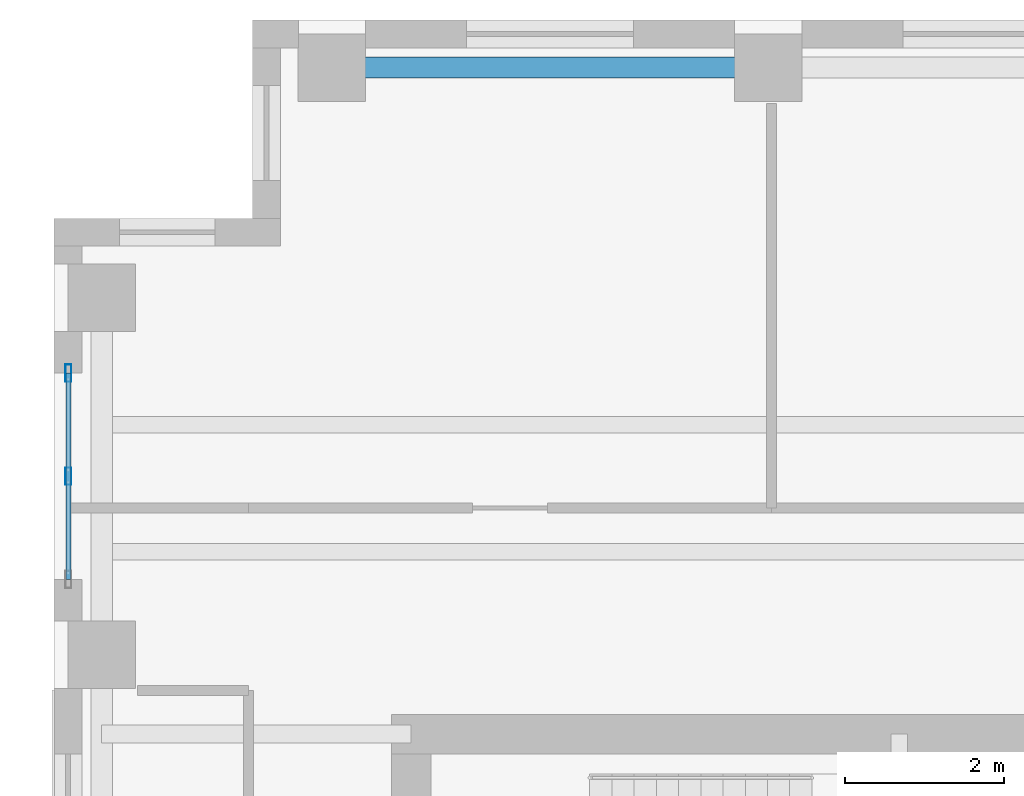
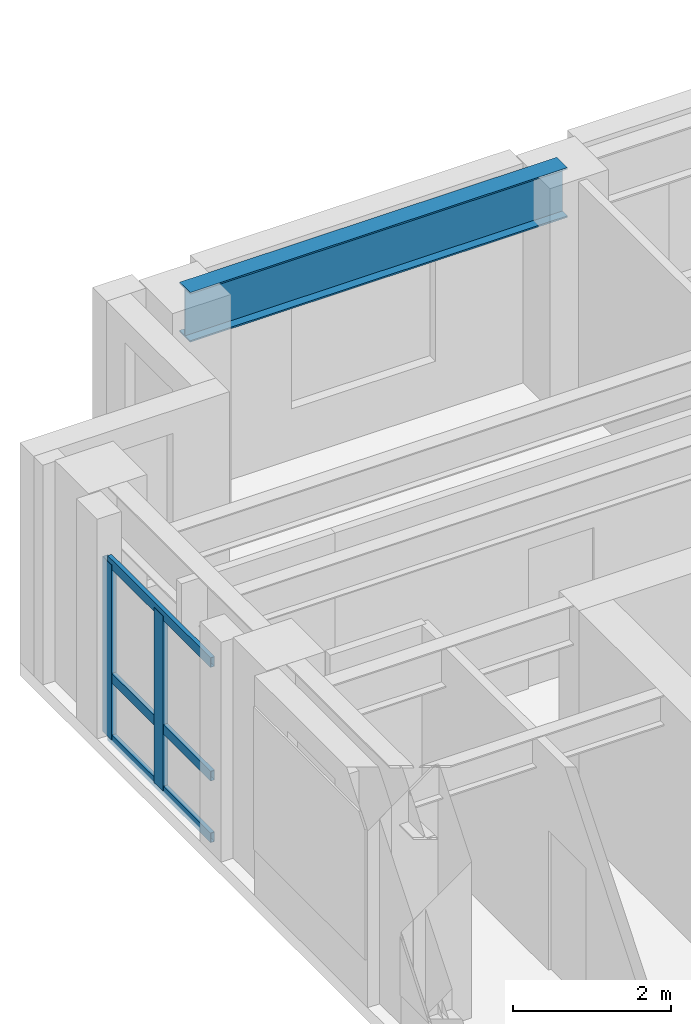
# One storey, part 4 of 10: 5 members, 1 beam, 1 element without a shape of its own.
"""IFC4 building model written with IfcOpenShell, lengths in metres."""

from ifc_helpers import new_model, si_unit, direction, frame, origin, origin_2d, place, context, subcontext, project, spatial, hollow_rectangle, i_section, extrude, source, transform, mapped, material, layer, layer_set, material_profile, profile_set, type_object, element, aggregate, save


model = new_model("IFC4")

# Units and contexts
model_context = context("Model", 3, precision=1e-05, world=origin(), true_north=direction((0.0, 1.0)))
body_context = subcontext(model_context, "Body", "Model", "MODEL_VIEW")
ifc_project = project(units=[si_unit("LENGTHUNIT", "METRE"), si_unit("AREAUNIT", "SQUARE_METRE"), si_unit("VOLUMEUNIT", "CUBIC_METRE"), si_unit("PLANEANGLEUNIT", "RADIAN"), si_unit("MASSUNIT", "GRAM", prefix="KILO")], contexts=[model_context])

# Site, building, storey
site_placement = place(None, origin())
site = spatial("IfcSite", under=ifc_project, at=site_placement, CompositionType="ELEMENT")
building_placement = place(site_placement, origin())
building = spatial("IfcBuilding", under=site, at=building_placement, Name="Kharzan Plaza Tower", CompositionType="ELEMENT")
storey_placement = place(building_placement, frame((0.0, 0.0, 266.39990234375)))
storey = spatial("IfcBuildingStorey", under=building, at=storey_placement, Name="L72", CompositionType="ELEMENT", Elevation=266.39990234375)

# Curtain wall, members
ifc_material_1 = material(Name="Unitised Bronze-Anodized Aluminium and Low-E Glass", Category="aluminium")
ifc_layer = layer(ifc_material_1, 0.199951171875)
ifc_layer_set = layer_set([ifc_layer], Name="Unitised Bronze-Anodized Aluminium and Low-E Glass")
curtain_wall_type = type_object("IfcCurtainWallType", Name="CW-EXEC-5", PredefinedType="NOTDEFINED", material=ifc_layer_set)
curtain_wall_placement = place(storey_placement, origin())
curtain_wall = element("IfcCurtainWall", 1, at=curtain_wall_placement, inside=storey, type_object=curtain_wall_type, Name="L72 Upper Executive Setback Panoramic Curtain Wall", PredefinedType="NOTDEFINED")
ifc_material_2 = material(Name="Anodized Bronze Aluminium", Category="aluminium")
ifc_material_profile_1 = material_profile(ifc_material_2, hollow_rectangle(XDim=0.074951171875, YDim=0.219970703125, WallThickness=0.00390625, at=origin_2d()), Name="ALU-M220x75x4")
ifc_profile_set_1 = profile_set([ifc_material_profile_1], Name="Anodized Bronze Aluminium")
member_type_1 = type_object("IfcMemberType", Name="MEM-CW-MUL200", PredefinedType="MULLION", material=ifc_profile_set_1)
shared_shape_1 = source(origin(), body_context, "Body", "SweptSolid", [
    extrude(hollow_rectangle(XDim=0.074951171875, YDim=0.219970703125, WallThickness=0.00390625, at=origin_2d()), origin(), (0.0, 0.0, 1.0), 2.7001953125),
])
member_1_placement = place(storey_placement, frame((0.179931640625, 32.75, 0.0), z_axis=(0.0, 0.0, 1.0), x_axis=(1.0, 0.0, 0.0)))
member_1 = element("IfcMember", 2, at=member_1_placement, type_object=member_type_1, Name="L72 Curtain-Wall Mullion 01", PredefinedType="MULLION", context=body_context, shape_type="MappedRepresentation", body=[
    mapped(shared_shape_1, transform((0.0, 0.0, 0.0), x_axis=(1.0, 0.0, 0.0), y_axis=(0.0, 1.0, 0.0), z_axis=(0.0, 0.0, 1.0))),
])
member_2_placement = place(storey_placement, frame((0.179931640625, 34.050048828125, 0.0), z_axis=(0.0, 0.0, 1.0), x_axis=(1.0, 0.0, 0.0)))
member_2 = element("IfcMember", 3, at=member_2_placement, type_object=member_type_1, Name="L72 Curtain-Wall Mullion 02", PredefinedType="MULLION", context=body_context, shape_type="MappedRepresentation", body=[
    mapped(shared_shape_1, transform((0.0, 0.0, 0.0), x_axis=(1.0, 0.0, 0.0), y_axis=(0.0, 1.0, 0.0), z_axis=(0.0, 0.0, 1.0))),
])

# Beam
ifc_material_3 = material(Name="Steel S355", Category="steel")
ifc_material_profile_2 = material_profile(ifc_material_3, i_section(OverallWidth=0.26708984375, OverallDepth=0.76611328125, WebThickness=0.014892578125, FlangeThickness=0.023681640625, at=origin_2d()), Name="W760x185")
ifc_profile_set_2 = profile_set([ifc_material_profile_2], Name="Steel S355")
beam_type = type_object("IfcBeamType", Name="BM-SP760B", PredefinedType="SPANDREL", material=ifc_profile_set_2)
shared_shape_2 = source(origin(), body_context, "Body", "SweptSolid", [
    extrude(i_section(OverallWidth=0.26708984375, OverallDepth=0.76611328125, WebThickness=0.014892578125, FlangeThickness=0.023681640625, at=origin_2d()), origin(), (0.0, 0.0, 1.0), 5.5),
])
beam_placement = place(storey_placement, frame((3.5, 37.89990234375, 3.01708984375), z_axis=(1.0, 0.0, 0.0), x_axis=(0.0, 1.0, 0.0)))
element("IfcBeam", 4, at=beam_placement, inside=storey, type_object=beam_type, Name="L72 Perimeter Tube Spandrel", PredefinedType="SPANDREL", context=body_context, shape_type="MappedRepresentation", body=[
    mapped(shared_shape_2, transform((0.0, 0.0, 0.0), x_axis=(1.0, 0.0, 0.0), y_axis=(0.0, 1.0, 0.0), z_axis=(0.0, 0.0, 1.0))),
])

# Member
ifc_material_profile_3 = material_profile(ifc_material_2, hollow_rectangle(XDim=0.06005859375, YDim=0.14990234375, WallThickness=0.00341796875, at=origin_2d()), Name="ALU-T150x60x3.5")
ifc_profile_set_3 = profile_set([ifc_material_profile_3], Name="Anodized Bronze Aluminium")
member_type_2 = type_object("IfcMemberType", Name="MEM-CW-TRN150", PredefinedType="USERDEFINED", material=ifc_profile_set_3)
shared_shape_3 = source(origin(), body_context, "Body", "SweptSolid", [
    extrude(hollow_rectangle(XDim=0.06005859375, YDim=0.14990234375, WallThickness=0.00341796875, at=origin_2d()), origin(), (0.0, 0.0, 1.0), 2.60009765625),
])
member_3_placement = place(storey_placement, frame((0.179931640625, 31.449951171875, 0.0), z_axis=(0.0, 1.0, 0.0), x_axis=(-1.0, 0.0, 0.0)))
member_3 = element("IfcMember", 5, at=member_3_placement, type_object=member_type_2, Name="L72 Curtain-Wall Transom 1", ObjectType="TRANSOM", PredefinedType="USERDEFINED", context=body_context, shape_type="MappedRepresentation", body=[
    mapped(shared_shape_3, transform((0.0, 0.0, 0.0), x_axis=(1.0, 0.0, 0.0), y_axis=(0.0, 1.0, 0.0), z_axis=(0.0, 0.0, 1.0))),
])

member_4_placement = place(storey_placement, frame((0.179931640625, 31.449951171875, 0.9501953125), z_axis=(0.0, 1.0, 0.0), x_axis=(-1.0, 0.0, 0.0)))
member_4 = element("IfcMember", 6, at=member_4_placement, type_object=member_type_2, Name="L72 Curtain-Wall Transom 2", ObjectType="TRANSOM", PredefinedType="USERDEFINED", context=body_context, shape_type="MappedRepresentation", body=[
    mapped(shared_shape_3, transform((0.0, 0.0, 0.0), x_axis=(1.0, 0.0, 0.0), y_axis=(0.0, 1.0, 0.0), z_axis=(0.0, 0.0, 1.0))),
])

member_5_placement = place(storey_placement, frame((0.179931640625, 31.449951171875, 2.7001953125), z_axis=(0.0, 1.0, 0.0), x_axis=(-1.0, 0.0, 0.0)))
member_5 = element("IfcMember", 7, at=member_5_placement, type_object=member_type_2, Name="L72 Curtain-Wall Transom 3", ObjectType="TRANSOM", PredefinedType="USERDEFINED", context=body_context, shape_type="MappedRepresentation", body=[
    mapped(shared_shape_3, transform((0.0, 0.0, 0.0), x_axis=(1.0, 0.0, 0.0), y_axis=(0.0, 1.0, 0.0), z_axis=(0.0, 0.0, 1.0))),
])

aggregate(curtain_wall, [member_1, member_2, member_3, member_4, member_5])

save(model, "model.ifc")
